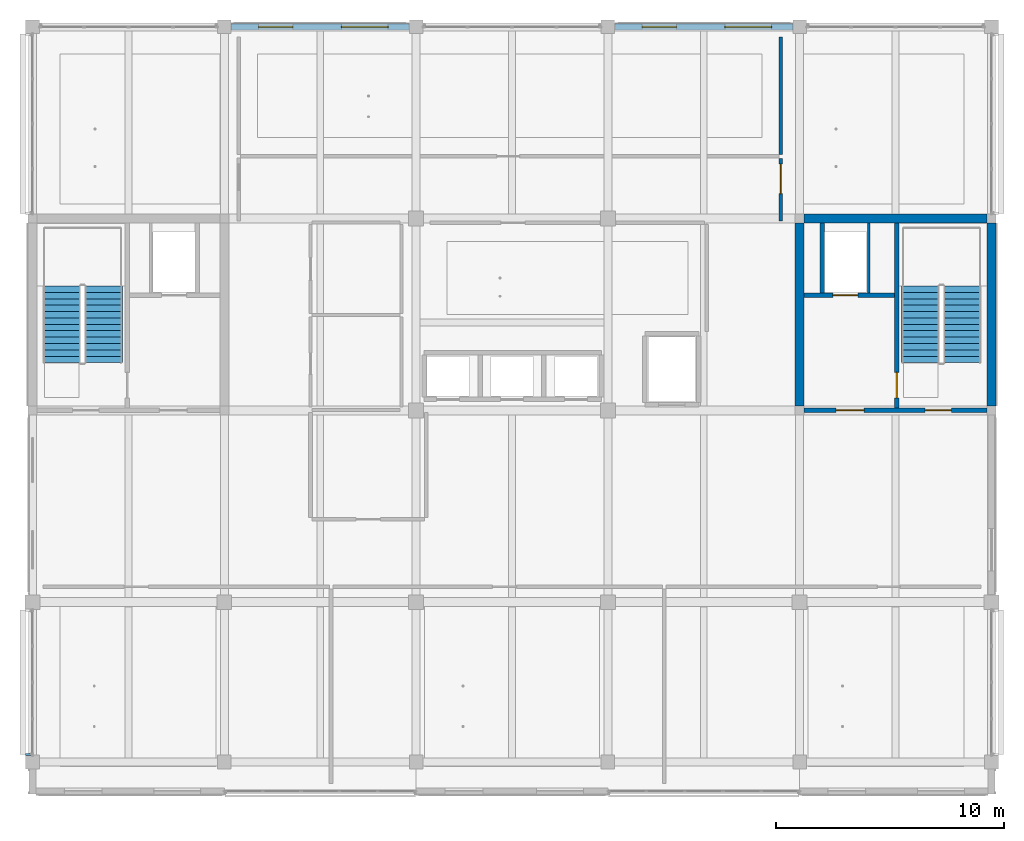
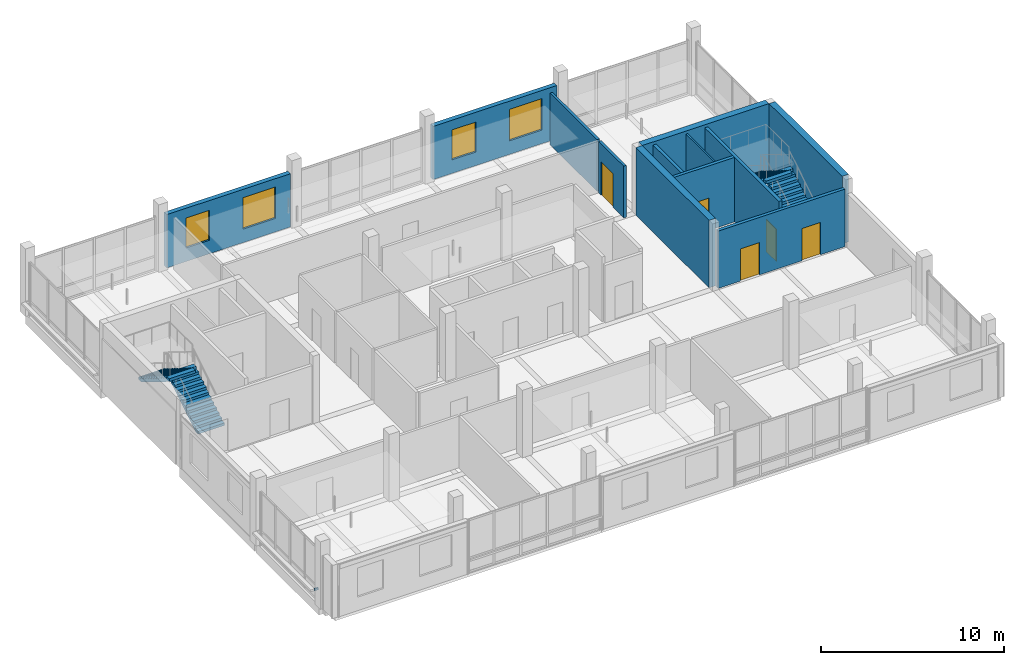
# One storey, part 13 of 29: 12 walls, 5 doors, 4 stair flights, 4 windows, 1 discrete accessory, 9 openings, 2 elements without a shape of their own.
"""IFC4 building model written with IfcOpenShell, lengths in metres."""

from ifc_helpers import new_model, si_unit, direction, frame, frame_2d, origin, origin_2d, place, context, subcontext, project, spatial, polyline, rectangle, outline, extrude, material, layer, layer_set, type_object, element, fill, aggregate, save


model = new_model("IFC4")

# Units and contexts
model_context = context("Model", 3, precision=1e-05, world=origin(), true_north=direction((0.0, 1.0)))
body_context = subcontext(model_context, "Body", "Model", "MODEL_VIEW")
ifc_project = project(units=[si_unit("LENGTHUNIT", "METRE"), si_unit("AREAUNIT", "SQUARE_METRE"), si_unit("VOLUMEUNIT", "CUBIC_METRE"), si_unit("PLANEANGLEUNIT", "RADIAN"), si_unit("MASSUNIT", "GRAM", prefix="KILO")], contexts=[model_context])

# Site, building, storey
site_placement = place(None, origin())
site = spatial("IfcSite", under=ifc_project, at=site_placement, CompositionType="ELEMENT")
building_placement = place(site_placement, origin())
building = spatial("IfcBuilding", under=site, at=building_placement, Name="Telukmera Botanical Conservatory", CompositionType="ELEMENT")
storey_placement = place(building_placement, frame((0.0, 0.0, 55.5)))
storey = spatial("IfcBuildingStorey", under=building, at=storey_placement, Name="L12", CompositionType="ELEMENT", Elevation=55.5)

# Wall, openings, windows
ifc_material_1 = material(Name="Precast concrete C40/50", Category="concrete")
ifc_layer_1 = layer(ifc_material_1, 0.280029296875)
ifc_layer_set_1 = layer_set([ifc_layer_1], Name="Precast concrete C40/50")
wall_type_1 = type_object("IfcWallType", Name="Exterior Laboratory Modular Precast Wall 280", PredefinedType="ELEMENTEDWALL", material=ifc_layer_set_1)
wall_1_placement = place(storey_placement, frame((67.501953125, 42.800048828125, 0.0), z_axis=(0.0, 0.0, 1.0), x_axis=(1.0, 0.0, 0.0)))
wall_1 = element("IfcWall", 1, at=wall_1_placement, inside=storey, type_object=wall_type_1, Name="Exterior Precast Wall EW06 V4:L12:N2", PredefinedType="ELEMENTEDWALL", context=body_context, shape_type="SweptSolid", body=[
    extrude(rectangle(XDim=7.796142578125, YDim=0.280029296875, at=frame_2d((3.89794921875, 0.0))), origin(), (0.0, 0.0, 1.0), 3.550048828125),
])
opening_1_placement = place(wall_1_placement, frame((1.198974609375, 0.0, 0.89990234375)))
opening_1 = element("IfcOpeningElement", 2, at=opening_1_placement, cuts=wall_1, Name="Opening W06", PredefinedType="OPENING", context=body_context, shape_type="SweptSolid", body=[
    extrude(rectangle(XDim=1.5, YDim=2.0, at=frame_2d((0.75, 1.0))), frame((0.0, 0.14990234375, 0.0), z_axis=(0.0, -1.0, 0.0), x_axis=(1.0, 0.0, 0.0)), (0.0, 0.0, 1.0), 0.300048828125),
])
opening_2_placement = place(wall_1_placement, frame((4.822021484375, 0.0, 0.89990234375)))
opening_2 = element("IfcOpeningElement", 3, at=opening_2_placement, cuts=wall_1, Name="Opening W14", PredefinedType="OPENING", context=body_context, shape_type="SweptSolid", body=[
    extrude(rectangle(XDim=2.050048828125, YDim=2.10009765625, at=frame_2d((1.02490234375, 1.050048828125))), frame((0.0, 0.14990234375, 0.0), z_axis=(0.0, -1.0, 0.0), x_axis=(1.0, 0.0, 0.0)), (0.0, 0.0, 1.0), 0.300048828125),
])
ifc_material_2 = material(Name="Thermally broken anodised aluminium frame with low-E double glazing", Category="aluminium")
window_type_1 = type_object("IfcWindowType", Name="Double Vertical Laboratory Viewing Window 1500x2000", PartitioningType="DOUBLE_PANEL_VERTICAL", PredefinedType="WINDOW", material=ifc_material_2)
window_1_placement = place(opening_1_placement, origin())
window_1 = element("IfcWindow", 4, at=window_1_placement, inside=storey, type_object=window_type_1, Name="Facade Window W06 V4:L12:N2 1", OverallHeight=2.0, OverallWidth=1.5, PartitioningType="DOUBLE_PANEL_VERTICAL", PredefinedType="WINDOW", context=body_context, shape_type="SweptSolid", body=[
    extrude(rectangle(XDim=1.5, YDim=2.0, at=frame_2d((0.75, 1.0))), frame((0.0, 0.030029296875, 0.0), z_axis=(0.0, -1.0, 0.0), x_axis=(1.0, 0.0, 0.0)), (0.0, 0.0, 1.0), 0.06005859375),
])
fill(opening_1, window_1)
window_type_2 = type_object("IfcWindowType", Name="Triple Vertical Microscopy Lab Window 2050x2100", PartitioningType="TRIPLE_PANEL_VERTICAL", PredefinedType="WINDOW", material=ifc_material_2)
window_2_placement = place(opening_2_placement, origin())
window_2 = element("IfcWindow", 5, at=window_2_placement, inside=storey, type_object=window_type_2, Name="Facade Window W14 V4:L12:N2 2", OverallHeight=2.10009765625, OverallWidth=2.050048828125, PartitioningType="TRIPLE_PANEL_VERTICAL", PredefinedType="WINDOW", context=body_context, shape_type="SweptSolid", body=[
    extrude(rectangle(XDim=2.050048828125, YDim=2.10009765625, at=frame_2d((1.02490234375, 1.050048828125))), frame((0.0, 0.030029296875, 0.0), z_axis=(0.0, -1.0, 0.0), x_axis=(1.0, 0.0, 0.0)), (0.0, 0.0, 1.0), 0.06005859375),
])
fill(opening_2, window_2)

wall_2_placement = place(storey_placement, frame((84.302001953125, 42.800048828125, 0.0), z_axis=(0.0, 0.0, 1.0), x_axis=(1.0, 0.0, 0.0)))
wall_2 = element("IfcWall", 6, at=wall_2_placement, inside=storey, type_object=wall_type_1, Name="Exterior Precast Wall EW06 V4:L12:N4", PredefinedType="ELEMENTEDWALL", context=body_context, shape_type="SweptSolid", body=[
    extrude(rectangle(XDim=7.7958984375, YDim=0.280029296875, at=frame_2d((3.89794921875, 0.0))), origin(), (0.0, 0.0, 1.0), 3.550048828125),
])
opening_3_placement = place(wall_2_placement, frame((1.198974609375, 0.0, 0.89990234375)))
opening_3 = element("IfcOpeningElement", 7, at=opening_3_placement, cuts=wall_2, Name="Opening W06", PredefinedType="OPENING", context=body_context, shape_type="SweptSolid", body=[
    extrude(rectangle(XDim=1.5, YDim=2.0, at=frame_2d((0.75, 1.0))), frame((0.0, 0.14990234375, 0.0), z_axis=(0.0, -1.0, 0.0), x_axis=(1.0, 0.0, 0.0)), (0.0, 0.0, 1.0), 0.300048828125),
])
opening_4_placement = place(wall_2_placement, frame((4.822021484375, 0.0, 0.89990234375)))
opening_4 = element("IfcOpeningElement", 8, at=opening_4_placement, cuts=wall_2, Name="Opening W14", PredefinedType="OPENING", context=body_context, shape_type="SweptSolid", body=[
    extrude(rectangle(XDim=2.050048828125, YDim=2.10009765625, at=frame_2d((1.02490234375, 1.050048828125))), frame((0.0, 0.14990234375, 0.0), z_axis=(0.0, -1.0, 0.0), x_axis=(1.0, 0.0, 0.0)), (0.0, 0.0, 1.0), 0.300048828125),
])
window_3_placement = place(opening_3_placement, origin())
window_3 = element("IfcWindow", 9, at=window_3_placement, inside=storey, type_object=window_type_1, Name="Facade Window W06 V4:L12:N4 1", OverallHeight=2.0, OverallWidth=1.5, PartitioningType="DOUBLE_PANEL_VERTICAL", PredefinedType="WINDOW", context=body_context, shape_type="SweptSolid", body=[
    extrude(rectangle(XDim=1.5, YDim=2.0, at=frame_2d((0.75, 1.0))), frame((0.0, 0.030029296875, 0.0), z_axis=(0.0, -1.0, 0.0), x_axis=(1.0, 0.0, 0.0)), (0.0, 0.0, 1.0), 0.06005859375),
])
fill(opening_3, window_3)
window_4_placement = place(opening_4_placement, origin())
window_4 = element("IfcWindow", 10, at=window_4_placement, inside=storey, type_object=window_type_2, Name="Facade Window W14 V4:L12:N4 2", OverallHeight=2.10009765625, OverallWidth=2.050048828125, PartitioningType="TRIPLE_PANEL_VERTICAL", PredefinedType="WINDOW", context=body_context, shape_type="SweptSolid", body=[
    extrude(rectangle(XDim=2.050048828125, YDim=2.10009765625, at=frame_2d((1.02490234375, 1.050048828125))), frame((0.0, 0.030029296875, 0.0), z_axis=(0.0, -1.0, 0.0), x_axis=(1.0, 0.0, 0.0)), (0.0, 0.0, 1.0), 0.06005859375),
])
fill(opening_4, window_4)

# Wall, openings, doors
ifc_material_3 = material(Name="Concrete C40/50", Category="concrete")
ifc_layer_2 = layer(ifc_material_3, 0.199951171875)
ifc_layer_set_2 = layer_set([ifc_layer_2], Name="Concrete C40/50")
wall_type_2 = type_object("IfcWallType", Name="WT-CORE-200", PredefinedType="SOLIDWALL", material=ifc_layer_set_2)
wall_3_placement = place(storey_placement, frame((92.60009765625, 26.0, 0.0), z_axis=(0.0, 0.0, 1.0), x_axis=(1.0, 0.0, 0.0)))
wall_3 = element("IfcWall", 11, at=wall_3_placement, inside=storey, type_object=wall_type_2, Name="L12 Core C2 South Fire Wall", PredefinedType="SOLIDWALL", context=body_context, shape_type="SweptSolid", body=[
    extrude(rectangle(XDim=8.0, YDim=0.199951171875, at=frame_2d((4.0, 0.0))), origin(), (0.0, 0.0, 1.0), 3.830078125),
])
opening_5_placement = place(wall_3_placement, frame((1.39990234375, 0.0, 0.0)))
opening_5 = element("IfcOpeningElement", 12, at=opening_5_placement, cuts=wall_3, Name="Opening FD60C", PredefinedType="OPENING", context=body_context, shape_type="SweptSolid", body=[
    extrude(rectangle(XDim=1.219970703125, YDim=2.14990234375, at=frame_2d((0.60986328125, 1.074951171875))), frame((0.0, 0.10986328125, 0.0), z_axis=(0.0, -1.0, 0.0), x_axis=(1.0, 0.0, 0.0)), (0.0, 0.0, 1.0), 0.219970703125),
])
opening_6_placement = place(wall_3_placement, frame((5.300048828125, 0.0, 0.0)))
opening_6 = element("IfcOpeningElement", 13, at=opening_6_placement, cuts=wall_3, Name="Opening FD60A", PredefinedType="OPENING", context=body_context, shape_type="SweptSolid", body=[
    extrude(rectangle(XDim=1.14990234375, YDim=2.14990234375, at=frame_2d((0.574951171875, 1.074951171875))), frame((0.0, 0.10986328125, 0.0), z_axis=(0.0, -1.0, 0.0), x_axis=(1.0, 0.0, 0.0)), (0.0, 0.0, 1.0), 0.219970703125),
])
ifc_material_4 = material(Name="Hardwood fire door", Category="wood")
door_type_1 = type_object("IfcDoorType", Name="DT-FD60-01", OperationType="NOTDEFINED", PredefinedType="DOOR", material=ifc_material_4)
door_1_placement = place(opening_6_placement, origin())
door_1 = element("IfcDoor", 14, at=door_1_placement, inside=storey, type_object=door_type_1, Name="L12 Stair ST2 Escape Door", OperationType="SINGLE_SWING_RIGHT", OverallHeight=2.14990234375, OverallWidth=1.14990234375, PredefinedType="DOOR", context=body_context, shape_type="SweptSolid", body=[
    extrude(rectangle(XDim=1.14990234375, YDim=2.14990234375, at=frame_2d((0.574951171875, 1.074951171875))), frame((0.0, 0.02490234375, 0.0), z_axis=(0.0, -1.0, 0.0), x_axis=(1.0, 0.0, 0.0)), (0.0, 0.0, 1.0), 0.050048828125),
])
fill(opening_6, door_1)
door_type_2 = type_object("IfcDoorType", Name="DT-FD60-03", OperationType="NOTDEFINED", PredefinedType="DOOR", material=ifc_material_4)
door_2_placement = place(opening_5_placement, origin())
door_2 = element("IfcDoor", 15, at=door_2_placement, inside=storey, type_object=door_type_2, Name="L12 Firefighting Lobby C2 Door", OperationType="SINGLE_SWING_LEFT", OverallHeight=2.14990234375, OverallWidth=1.219970703125, PredefinedType="DOOR", context=body_context, shape_type="SweptSolid", body=[
    extrude(rectangle(XDim=1.219970703125, YDim=2.14990234375, at=frame_2d((0.60986328125, 1.074951171875))), frame((0.0, 0.02490234375, 0.0), z_axis=(0.0, -1.0, 0.0), x_axis=(1.0, 0.0, 0.0)), (0.0, 0.0, 1.0), 0.050048828125),
])
fill(opening_5, door_2)

# Wall, opening, door
wall_4_placement = place(storey_placement, frame((96.64990234375, 26.10009765625, 0.0), z_axis=(0.0, 0.0, 1.0), x_axis=(0.0, 1.0, 0.0)))
wall_4 = element("IfcWall", 16, at=wall_4_placement, inside=storey, type_object=wall_type_2, Name="L12 Core C2 Stair-Lobby Wall", PredefinedType="SOLIDWALL", context=body_context, shape_type="SweptSolid", body=[
    extrude(rectangle(XDim=8.099853515625, YDim=0.199951171875, at=frame_2d((4.0498046875, 0.0))), origin(), (0.0, 0.0, 1.0), 4.300048828125),
])
opening_7_placement = place(wall_4_placement, frame((0.449951171875, 0.0, 0.0)))
opening_7 = element("IfcOpeningElement", 17, at=opening_7_placement, cuts=wall_4, Name="Opening FD60B", PredefinedType="OPENING", context=body_context, shape_type="SweptSolid", body=[
    extrude(rectangle(XDim=1.1201171875, YDim=2.14990234375, at=frame_2d((0.56005859375, 1.074951171875))), frame((0.0, 0.10986328125, 0.0), z_axis=(0.0, -1.0, 0.0), x_axis=(1.0, 0.0, 0.0)), (0.0, 0.0, 1.0), 0.219970703125),
])
door_type_3 = type_object("IfcDoorType", Name="DT-FD60-02", OperationType="NOTDEFINED", PredefinedType="DOOR", material=ifc_material_4)
door_3_placement = place(opening_7_placement, frame((1.1201171875, 0.0, 0.0), z_axis=(0.0, 0.0, 1.0), x_axis=(-1.0, 0.0, 0.0)))
door_3 = element("IfcDoor", 18, at=door_3_placement, inside=storey, type_object=door_type_3, Name="L12 Firefighting Lobby C2 to ST2 Door", OperationType="SINGLE_SWING_LEFT", OverallHeight=2.14990234375, OverallWidth=1.1201171875, PredefinedType="DOOR", context=body_context, shape_type="SweptSolid", body=[
    extrude(rectangle(XDim=1.1201171875, YDim=2.14990234375, at=frame_2d((0.56005859375, 1.074951171875))), frame((0.0, 0.02490234375, 0.0), z_axis=(0.0, -1.0, 0.0), x_axis=(1.0, 0.0, 0.0)), (0.0, 0.0, 1.0), 0.050048828125),
])
fill(opening_7, door_3)

wall_5_placement = place(storey_placement, frame((92.60009765625, 31.050048828125, 0.0), z_axis=(0.0, 0.0, 1.0), x_axis=(1.0, 0.0, 0.0)))
wall_5 = element("IfcWall", 19, at=wall_5_placement, inside=storey, type_object=wall_type_2, Name="L12 Fire Lift FL2 Shaft Front Wall", PredefinedType="SOLIDWALL", context=body_context, shape_type="SweptSolid", body=[
    extrude(rectangle(XDim=3.949951171875, YDim=0.199951171875, at=frame_2d((1.97509765625, 0.0))), origin(), (0.0, 0.0, 1.0), 4.300048828125),
])
opening_8_placement = place(wall_5_placement, frame((1.25, 0.0, 0.0)))
opening_8 = element("IfcOpeningElement", 20, at=opening_8_placement, cuts=wall_5, Name="Opening LD01", PredefinedType="OPENING", context=body_context, shape_type="SweptSolid", body=[
    extrude(rectangle(XDim=1.10009765625, YDim=2.14990234375, at=frame_2d((0.550048828125, 1.074951171875))), frame((0.0, 0.10986328125, 0.0), z_axis=(0.0, -1.0, 0.0), x_axis=(1.0, 0.0, 0.0)), (0.0, 0.0, 1.0), 0.219970703125),
])
ifc_material_5 = material(Name="Stainless steel 316", Category="steel")
door_type_4 = type_object("IfcDoorType", Name="DT-LD01", OperationType="SLIDING_TO_LEFT", PredefinedType="DOOR", material=ifc_material_5)
door_4_placement = place(opening_8_placement, frame((1.10009765625, 0.0, 0.0), z_axis=(0.0, 0.0, 1.0), x_axis=(-1.0, 0.0, 0.0)))
door_4 = element("IfcDoor", 21, at=door_4_placement, inside=storey, type_object=door_type_4, Name="L12 Lift Landing Door FL2", OperationType="SLIDING_TO_LEFT", OverallHeight=2.14990234375, OverallWidth=1.10009765625, PredefinedType="DOOR", context=body_context, shape_type="SweptSolid", body=[
    extrude(rectangle(XDim=1.10009765625, YDim=2.14990234375, at=frame_2d((0.550048828125, 1.074951171875))), frame((0.0, 0.02490234375, 0.0), z_axis=(0.0, -1.0, 0.0), x_axis=(1.0, 0.0, 0.0)), (0.0, 0.0, 1.0), 0.050048828125),
])
fill(opening_8, door_4)

# Wall
wall_6_placement = place(storey_placement, frame((93.3798828125, 31.14990234375, 0.0), z_axis=(0.0, 0.0, 1.0), x_axis=(0.0, 1.0, 0.0)))
element("IfcWall", 22, at=wall_6_placement, inside=storey, type_object=wall_type_2, Name="L12 Fire Lift FL2 Shaft West Wall", PredefinedType="SOLIDWALL", context=body_context, shape_type="SweptSolid", body=[
    extrude(rectangle(XDim=3.050048828125, YDim=0.199951171875, at=frame_2d((1.52490234375, 0.0))), origin(), (0.0, 0.0, 1.0), 4.300048828125),
])

# Wall, opening, door
ifc_material_6 = material(Name="Gypsum acoustic stud partition")
ifc_layer_3 = layer(ifc_material_6, 0.159912109375)
ifc_layer_set_3 = layer_set([ifc_layer_3], Name="Gypsum acoustic stud partition")
wall_type_3 = type_object("IfcWallType", Name="WT-LAB-160", PredefinedType="PARTITIONING", material=ifc_layer_set_3)
wall_7_placement = place(storey_placement, frame((91.574951171875, 34.300048828125, 0.0), z_axis=(0.0, 0.0, 1.0), x_axis=(0.0, 1.0, 0.0)))
wall_7 = element("IfcWall", 23, at=wall_7_placement, inside=storey, type_object=wall_type_3, Name="L12 Interior Partition 19", PredefinedType="PARTITIONING", context=body_context, shape_type="SweptSolid", body=[
    extrude(rectangle(XDim=2.739990234375, YDim=0.159912109375, at=frame_2d((1.3701171875, 0.0))), origin(), (0.0, 0.0, 1.0), 3.449951171875),
])
opening_9_placement = place(wall_7_placement, frame((1.18994140625, 0.0, 0.0)))
opening_9 = element("IfcOpeningElement", 24, at=opening_9_placement, cuts=wall_7, Name="Opening ID07", PredefinedType="OPENING", context=body_context, shape_type="SweptSolid", body=[
    extrude(rectangle(XDim=1.300048828125, YDim=2.25, at=frame_2d((0.64990234375, 1.125))), frame((0.0, 0.08984375, 0.0), z_axis=(0.0, -1.0, 0.0), x_axis=(1.0, 0.0, 0.0)), (0.0, 0.0, 1.0), 0.179931640625),
])
ifc_material_7 = material(Name="Acoustic timber seminar door", Category="wood")
door_type_5 = type_object("IfcDoorType", Name="DT-SEM-130", OperationType="NOTDEFINED", PredefinedType="DOOR", material=ifc_material_7)
door_5_placement = place(opening_9_placement, frame((1.300048828125, 0.0, 0.0), z_axis=(0.0, 0.0, 1.0), x_axis=(-1.0, 0.0, 0.0)))
door_5 = element("IfcDoor", 25, at=door_5_placement, inside=storey, type_object=door_type_5, Name="L12 Microscopy Fellows Seminar Room Door", OperationType="SINGLE_SWING_LEFT", OverallHeight=2.25, OverallWidth=1.300048828125, PredefinedType="DOOR", context=body_context, shape_type="SweptSolid", body=[
    extrude(rectangle(XDim=1.300048828125, YDim=2.25, at=frame_2d((0.64990234375, 1.125))), frame((0.0, 0.02490234375, 0.0), z_axis=(0.0, -1.0, 0.0), x_axis=(1.0, 0.0, 0.0)), (0.0, 0.0, 1.0), 0.050048828125),
])
fill(opening_9, door_5)

# Walls
wall_8_placement = place(storey_placement, frame((91.574951171875, 37.2099609375, 0.0), z_axis=(0.0, 0.0, 1.0), x_axis=(0.0, 1.0, 0.0)))
element("IfcWall", 26, at=wall_8_placement, inside=storey, type_object=wall_type_3, Name="L12 Interior Partition 21", PredefinedType="PARTITIONING", context=body_context, shape_type="SweptSolid", body=[
    extrude(rectangle(XDim=5.14013671875, YDim=0.159912109375, at=frame_2d((2.570068359375, 0.0))), origin(), (0.0, 0.0, 1.0), 3.449951171875),
])
ifc_material_8 = material(Name="Gypsum shaftwall liner")
ifc_layer_4 = layer(ifc_material_8, 0.110107421875)
ifc_layer_set_4 = layer_set([ifc_layer_4], Name="Gypsum shaftwall liner")
wall_type_4 = type_object("IfcWallType", Name="WT-RISER-110", PredefinedType="PARTITIONING", material=ifc_layer_set_4)
wall_9_placement = place(storey_placement, frame((95.419921875, 31.14990234375, 0.0), z_axis=(0.0, 0.0, 1.0), x_axis=(0.0, 1.0, 0.0)))
element("IfcWall", 27, at=wall_9_placement, inside=storey, type_object=wall_type_4, Name="L12 Wet Riser C2 Shaft Wall", PredefinedType="PARTITIONING", context=body_context, shape_type="SweptSolid", body=[
    extrude(rectangle(XDim=3.050048828125, YDim=0.110107421875, at=frame_2d((1.52490234375, 0.0))), origin(), (0.0, 0.0, 1.0), 4.300048828125),
])
ifc_material_9 = material(Name="Concrete C50/60", Category="concrete")
ifc_layer_5 = layer(ifc_material_9, 0.39990234375)
ifc_layer_set_5 = layer_set([ifc_layer_5], Name="Concrete C50/60")
wall_type_5 = type_object("IfcWallType", Name="Wall_CW1", PredefinedType="SHEAR", material=ifc_layer_set_5)
for number, where, z_axis, x_axis, name in (
    (28, (92.39990234375, 26.199951171875, 0.0), (0.0, 0.0, 1.0), (0.0, 1.0, 0.0), "Core C2 Shear Wall West L12"),
    (29, (100.800048828125, 26.199951171875, 0.0), (0.0, 0.0, 1.0), (0.0, 1.0, 0.0), "Core C2 Shear Wall East L12"),
    (30, (92.60009765625, 34.39990234375, 0.0), (0.0, 0.0, 1.0), (1.0, 0.0, 0.0), "Core C2 Shear Wall North L12"),
):
    element("IfcWall", number, at=place(storey_placement, frame(where, z_axis=z_axis, x_axis=x_axis)), inside=storey, type_object=wall_type_5, Name=name, PredefinedType="SHEAR", context=body_context, shape_type="SweptSolid", body=[
        extrude(rectangle(XDim=8.0, YDim=0.39990234375, at=frame_2d((4.0, 0.0))), origin(), (0.0, 0.0, 1.0), 4.5),
    ])

# Stair, stair flights
stair_type = type_object("IfcStairType", Name="ST-ESC-4500", PredefinedType="HALF_TURN_STAIR", material=ifc_material_3)
stair_1_placement = place(storey_placement, origin())
stair_1 = element("IfcStair", 31, at=stair_1_placement, inside=storey, type_object=stair_type, Name="L12 Protected Escape Stair ST1", PredefinedType="HALF_TURN_STAIR")
stair_flight_type = type_object("IfcStairFlightType", Name="SF-ESC-4500", PredefinedType="STRAIGHT", material=ifc_material_3)
stair_flight_1_placement = place(storey_placement, frame((61.89990234375, 28.090087890625, 0.0), z_axis=(0.0, 0.0, 1.0), x_axis=(0.0, 1.0, 0.0)))
stair_flight_1 = element("IfcStairFlight", 32, at=stair_flight_1_placement, type_object=stair_flight_type, Name="ST1 flight 1", NumberOfRisers=13, NumberOfTreads=12, PredefinedType="STRAIGHT", RiserHeight=0.173076923, TreadLength=0.28, context=body_context, shape_type="SweptSolid", body=[
    extrude(outline(polyline([(0.0, 0.0), (0.0, 0.173095703125), (0.280029296875, 0.173095703125), (0.280029296875, 0.34619140625), (0.56005859375, 0.34619140625), (0.56005859375, 0.519287109375), (0.840087890625, 0.519287109375), (0.840087890625, 0.6923828125), (1.1201171875, 0.6923828125), (1.1201171875, 0.865478515625), (1.39990234375, 0.865478515625), (1.39990234375, 1.03857421875), (1.679931640625, 1.03857421875), (1.679931640625, 1.21142578125), (1.9599609375, 1.21142578125), (1.9599609375, 1.384521484375), (2.239990234375, 1.384521484375), (2.239990234375, 1.5576171875), (2.52001953125, 1.5576171875), (2.52001953125, 1.730712890625), (2.800048828125, 1.730712890625), (2.800048828125, 1.90380859375), (3.080078125, 1.90380859375), (3.080078125, 2.076904296875), (3.360107421875, 2.076904296875), (3.360107421875, 2.25), (3.360107421875, 1.888916015625), (0.30419921875, 0.0), (0.0, 0.0)])), frame((0.0, 0.830078125, 0.0), z_axis=(0.0, -1.0, 0.0), x_axis=(1.0, 0.0, 0.0)), (0.0, 0.0, 1.0), 1.659912109375),
])
stair_flight_2_placement = place(storey_placement, frame((60.080078125, 31.449951171875, 2.25), z_axis=(0.0, 0.0, 1.0), x_axis=(0.0, -1.0, 0.0)))
stair_flight_2 = element("IfcStairFlight", 33, at=stair_flight_2_placement, type_object=stair_flight_type, Name="ST1 flight 2", NumberOfRisers=13, NumberOfTreads=12, PredefinedType="STRAIGHT", RiserHeight=0.173076923, TreadLength=0.28, context=body_context, shape_type="SweptSolid", body=[
    extrude(outline(polyline([(0.0, 0.0), (0.0, 0.173095703125), (0.280029296875, 0.173095703125), (0.280029296875, 0.34619140625), (0.56005859375, 0.34619140625), (0.56005859375, 0.519287109375), (0.840087890625, 0.519287109375), (0.840087890625, 0.6923828125), (1.1201171875, 0.6923828125), (1.1201171875, 0.865478515625), (1.39990234375, 0.865478515625), (1.39990234375, 1.03857421875), (1.679931640625, 1.03857421875), (1.679931640625, 1.21142578125), (1.9599609375, 1.21142578125), (1.9599609375, 1.384521484375), (2.239990234375, 1.384521484375), (2.239990234375, 1.5576171875), (2.52001953125, 1.5576171875), (2.52001953125, 1.730712890625), (2.800048828125, 1.730712890625), (2.800048828125, 1.90380859375), (3.080078125, 1.90380859375), (3.080078125, 2.076904296875), (3.360107421875, 2.076904296875), (3.360107421875, 2.25), (3.360107421875, 1.888916015625), (0.30419921875, 0.0), (0.0, 0.0)])), frame((0.0, 0.830078125, 0.0), z_axis=(0.0, -1.0, 0.0), x_axis=(1.0, 0.0, 0.0)), (0.0, 0.0, 1.0), 1.659912109375),
])
aggregate(stair_1, [stair_flight_1, stair_flight_2])

stair_2_placement = place(storey_placement, origin())
stair_2 = element("IfcStair", 34, at=stair_2_placement, inside=storey, type_object=stair_type, Name="L12 Protected Escape Stair ST2", PredefinedType="HALF_TURN_STAIR")
stair_flight_3_placement = place(storey_placement, frame((99.52001953125, 28.090087890625, 0.0), z_axis=(0.0, 0.0, 1.0), x_axis=(0.0, 1.0, 0.0)))
stair_flight_3 = element("IfcStairFlight", 35, at=stair_flight_3_placement, type_object=stair_flight_type, Name="ST2 flight 1", NumberOfRisers=13, NumberOfTreads=12, PredefinedType="STRAIGHT", RiserHeight=0.173076923, TreadLength=0.28, context=body_context, shape_type="SweptSolid", body=[
    extrude(outline(polyline([(0.0, 0.0), (0.0, 0.173095703125), (0.280029296875, 0.173095703125), (0.280029296875, 0.34619140625), (0.56005859375, 0.34619140625), (0.56005859375, 0.519287109375), (0.840087890625, 0.519287109375), (0.840087890625, 0.6923828125), (1.1201171875, 0.6923828125), (1.1201171875, 0.865478515625), (1.39990234375, 0.865478515625), (1.39990234375, 1.03857421875), (1.679931640625, 1.03857421875), (1.679931640625, 1.21142578125), (1.9599609375, 1.21142578125), (1.9599609375, 1.384521484375), (2.239990234375, 1.384521484375), (2.239990234375, 1.5576171875), (2.52001953125, 1.5576171875), (2.52001953125, 1.730712890625), (2.800048828125, 1.730712890625), (2.800048828125, 1.90380859375), (3.080078125, 1.90380859375), (3.080078125, 2.076904296875), (3.360107421875, 2.076904296875), (3.360107421875, 2.25), (3.360107421875, 1.888916015625), (0.30419921875, 0.0), (0.0, 0.0)])), frame((0.0, 0.830078125, 0.0), z_axis=(0.0, -1.0, 0.0), x_axis=(1.0, 0.0, 0.0)), (0.0, 0.0, 1.0), 1.659912109375),
])
stair_flight_4_placement = place(storey_placement, frame((97.699951171875, 31.449951171875, 2.25), z_axis=(0.0, 0.0, 1.0), x_axis=(0.0, -1.0, 0.0)))
stair_flight_4 = element("IfcStairFlight", 36, at=stair_flight_4_placement, type_object=stair_flight_type, Name="ST2 flight 2", NumberOfRisers=13, NumberOfTreads=12, PredefinedType="STRAIGHT", RiserHeight=0.173076923, TreadLength=0.28, context=body_context, shape_type="SweptSolid", body=[
    extrude(outline(polyline([(0.0, 0.0), (0.0, 0.173095703125), (0.280029296875, 0.173095703125), (0.280029296875, 0.34619140625), (0.56005859375, 0.34619140625), (0.56005859375, 0.519287109375), (0.840087890625, 0.519287109375), (0.840087890625, 0.6923828125), (1.1201171875, 0.6923828125), (1.1201171875, 0.865478515625), (1.39990234375, 0.865478515625), (1.39990234375, 1.03857421875), (1.679931640625, 1.03857421875), (1.679931640625, 1.21142578125), (1.9599609375, 1.21142578125), (1.9599609375, 1.384521484375), (2.239990234375, 1.384521484375), (2.239990234375, 1.5576171875), (2.52001953125, 1.5576171875), (2.52001953125, 1.730712890625), (2.800048828125, 1.730712890625), (2.800048828125, 1.90380859375), (3.080078125, 1.90380859375), (3.080078125, 2.076904296875), (3.360107421875, 2.076904296875), (3.360107421875, 2.25), (3.360107421875, 1.888916015625), (0.30419921875, 0.0), (0.0, 0.0)])), frame((0.0, 0.830078125, 0.0), z_axis=(0.0, -1.0, 0.0), x_axis=(1.0, 0.0, 0.0)), (0.0, 0.0, 1.0), 1.659912109375),
])
aggregate(stair_2, [stair_flight_3, stair_flight_4])

# Discrete accessory
ifc_material_10 = material(Name="Steel S355", Category="steel")
discrete_accessory_type = type_object("IfcDiscreteAccessoryType", Name="Structural Steel Facade Outrigger Fin Bracket", PredefinedType="BRACKET", material=ifc_material_10)
discrete_accessory_placement = place(storey_placement, frame((58.610107421875, 10.931884765625, 0.8798828125), z_axis=(0.0, 0.0, 1.0), x_axis=(0.0, 1.0, 0.0)))
element("IfcDiscreteAccessory", 37, at=discrete_accessory_placement, inside=storey, type_object=discrete_accessory_type, Name="Facade Outrigger Bracket V4:L12:W1 A", PredefinedType="BRACKET", context=body_context, shape_type="SweptSolid", body=[
    extrude(rectangle(XDim=0.10009765625, YDim=0.239990234375, at=origin_2d()), origin(), (0.0, 0.0, 1.0), 0.139892578125),
])

save(model, "model.ifc")
